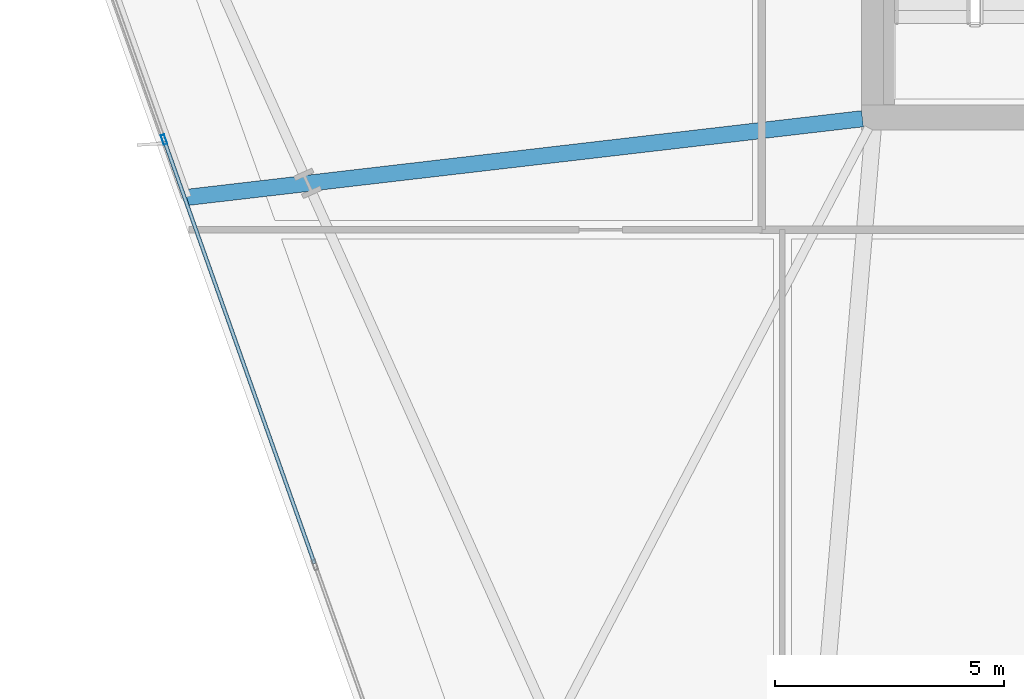
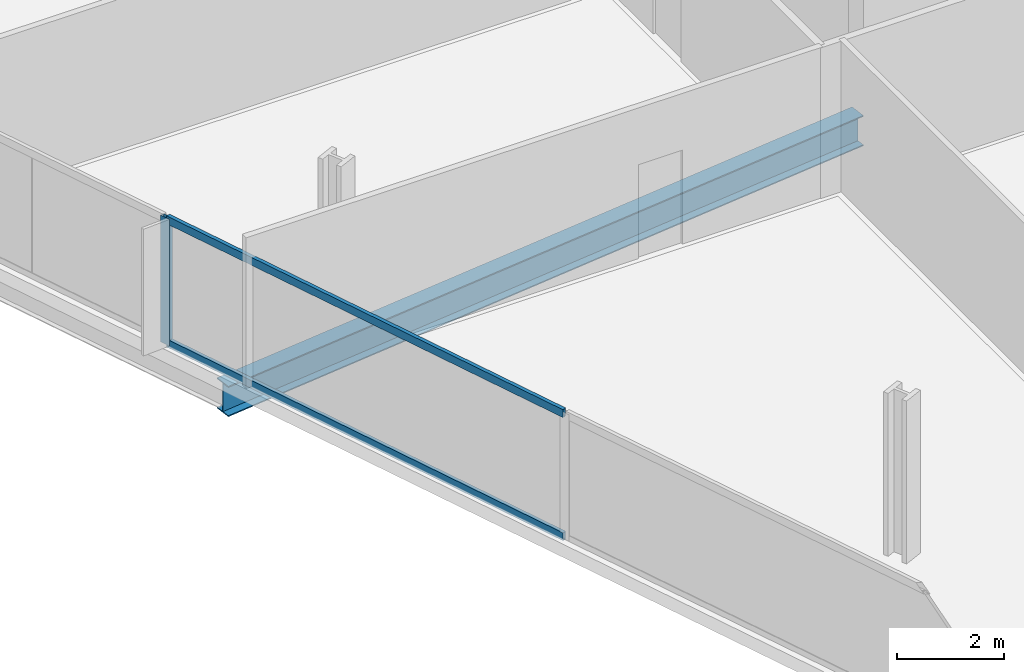
# One storey, part 5 of 33: 3 members, 1 beam, 1 element without a shape of its own.
"""IFC4 building model written with IfcOpenShell, lengths in metres."""

from ifc_helpers import new_model, si_unit, direction, frame, origin, origin_2d, place, context, subcontext, project, spatial, hollow_rectangle, i_section, extrude, material, material_profile, profile_set, type_object, element, aggregate, save


model = new_model("IFC4")

# Units and contexts
model_context = context("Model", 3, precision=1e-05, world=origin(), true_north=direction((0.0, 1.0)))
body_context = subcontext(model_context, "Body", "Model", "MODEL_VIEW")
ifc_project = project(units=[si_unit("LENGTHUNIT", "METRE"), si_unit("AREAUNIT", "SQUARE_METRE"), si_unit("VOLUMEUNIT", "CUBIC_METRE"), si_unit("PLANEANGLEUNIT", "RADIAN"), si_unit("MASSUNIT", "GRAM", prefix="KILO")], contexts=[model_context])

# Site, building, storey
site_placement = place(None, origin())
site = spatial("IfcSite", under=ifc_project, at=site_placement, CompositionType="ELEMENT")
building_placement = place(site_placement, origin())
building = spatial("IfcBuilding", under=site, at=building_placement, Name="Haldenkirk Collegiate Tower", CompositionType="ELEMENT")
storey_placement = place(building_placement, frame((0.0, 0.0, 94.199951171875)))
storey = spatial("IfcBuildingStorey", under=building, at=storey_placement, Name="L22", CompositionType="ELEMENT", Elevation=94.199951171875)

# Beam
ifc_material_1 = material(Name="Steel ASTM A992 Grade 50", Category="steel")
ifc_material_profile_1 = material_profile(ifc_material_1, i_section(OverallWidth=0.35498046875, OverallDepth=0.696044921875, WebThickness=0.015380859375, FlangeThickness=0.02490234375, at=origin_2d()), Name="W27X146")
ifc_profile_set_1 = profile_set([ifc_material_profile_1], Name="Steel ASTM A992 Grade 50")
beam_type = type_object("IfcBeamType", Name="BM-GIRDER-W27X146", PredefinedType="BEAM", material=ifc_profile_set_1)
beam_placement = place(storey_placement, frame((11.997802734375, 16.2529296875, -0.64794921875), z_axis=(0.993287624666, 0.115670630175, 0.0), x_axis=(-0.115670630175, 0.993287624666, 0.0)))
element("IfcBeam", 1, at=beam_placement, inside=storey, type_object=beam_type, Name="L22 primary floor girder 15", PredefinedType="BEAM", context=body_context, shape_type="SweptSolid", body=[
    extrude(i_section(OverallWidth=0.35498046875, OverallDepth=0.696044921875, WebThickness=0.015380859375, FlangeThickness=0.02490234375, at=origin_2d()), origin(), (0.0, 0.0, 1.0), 14.848388671875),
])

# Curtain wall, members
ifc_material_2 = material(Name="Anodised architectural bronze aluminium", Category="aluminium")
curtain_wall_type = type_object("IfcCurtainWallType", Name="CW-SYS1-CONVEX-LOW", PredefinedType="USERDEFINED", material=ifc_material_2)
curtain_wall_placement = place(storey_placement, origin())
curtain_wall = element("IfcCurtainWall", 2, at=curtain_wall_placement, inside=storey, type_object=curtain_wall_type, Name="L22 Lower tower convex bronze-framed unitised curtain wall", ObjectType="UNITISED CURTAIN WALL", PredefinedType="USERDEFINED")
ifc_material_profile_2 = material_profile(ifc_material_2, hollow_rectangle(XDim=0.080078125, YDim=0.219970703125, WallThickness=0.0048828125, at=origin_2d()), Name="CW-MUL-1A")
ifc_profile_set_2 = profile_set([ifc_material_profile_2], Name="Anodised architectural bronze aluminium")
member_type_1 = type_object("IfcMemberType", Name="CW-MUL-1A", PredefinedType="MULLION", material=ifc_profile_set_2)
member_1_placement = place(storey_placement, frame((11.50732421875, 17.514892578125, 0.0), z_axis=(0.0, 0.0, 1.0), x_axis=(-0.942350931235, -0.334626242845, 0.0)))
member_1 = element("IfcMember", 3, at=member_1_placement, type_object=member_type_1, Name="CW-1A mullion 3", PredefinedType="MULLION", context=body_context, shape_type="SweptSolid", body=[
    extrude(hollow_rectangle(XDim=0.080078125, YDim=0.219970703125, WallThickness=0.0048828125, at=origin_2d()), origin(), (0.0, 0.0, 1.0), 2.901123046875),
])
ifc_material_profile_3 = material_profile(ifc_material_2, hollow_rectangle(XDim=0.080078125, YDim=0.179931640625, WallThickness=0.0048828125, at=origin_2d()), Name="CW-TRN-1A")
ifc_profile_set_3 = profile_set([ifc_material_profile_3], Name="Anodised architectural bronze aluminium")
member_type_2 = type_object("IfcMemberType", Name="CW-TRN-1A", PredefinedType="USERDEFINED", material=ifc_profile_set_3)
member_2_placement = place(storey_placement, frame((14.7900390625, 8.270263671875, 0.0400390625), z_axis=(-0.334624619815, 0.942351507567, 0.0), x_axis=(-0.942351507567, -0.334624619815, 0.0)))
member_2 = element("IfcMember", 4, at=member_2_placement, type_object=member_type_2, Name="CW-1A transom 2.1", ObjectType="TRANSOM", PredefinedType="USERDEFINED", context=body_context, shape_type="SweptSolid", body=[
    extrude(hollow_rectangle(XDim=0.080078125, YDim=0.179931640625, WallThickness=0.0048828125, at=origin_2d()), origin(), (0.0, 0.0, 1.0), 9.77001953125),
])
member_3_placement = place(storey_placement, frame((14.7900390625, 8.270263671875, 2.861083984375), z_axis=(-0.334624619815, 0.942351507567, 0.0), x_axis=(-0.942351507567, -0.334624619815, 0.0)))
member_3 = element("IfcMember", 5, at=member_3_placement, type_object=member_type_2, Name="CW-1A transom 2.2", ObjectType="TRANSOM", PredefinedType="USERDEFINED", context=body_context, shape_type="SweptSolid", body=[
    extrude(hollow_rectangle(XDim=0.080078125, YDim=0.179931640625, WallThickness=0.0048828125, at=origin_2d()), origin(), (0.0, 0.0, 1.0), 9.77001953125),
])
aggregate(curtain_wall, [member_1, member_2, member_3])

save(model, "model.ifc")
